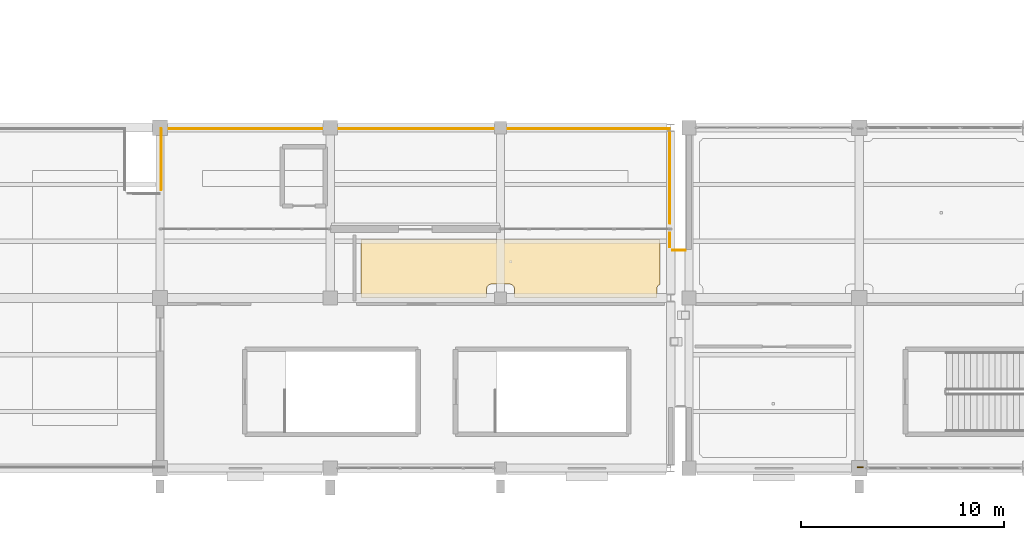
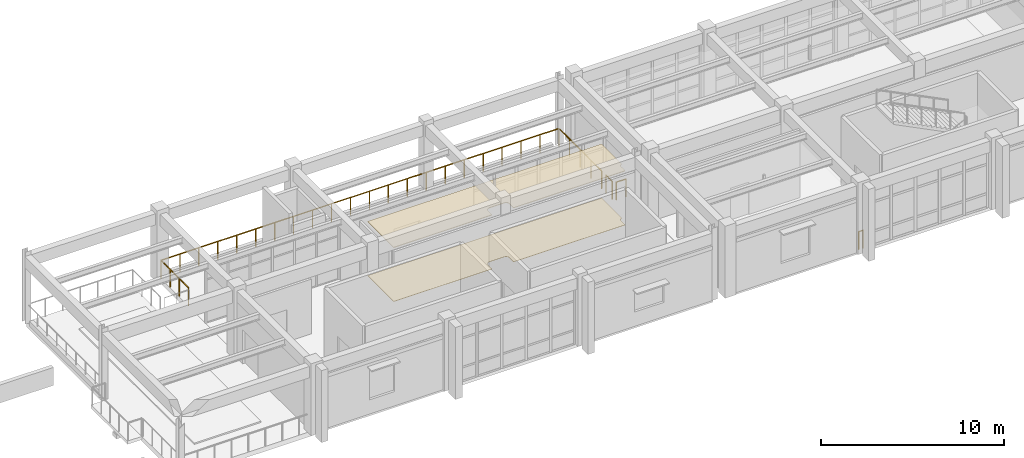
# One storey, part 86 of 98: 6 railings, 2 coverings.
"""IFC4 building model written with IfcOpenShell, lengths in metres."""

from ifc_helpers import new_model, si_unit, direction, frame, origin, origin_2d, place, context, subcontext, project, spatial, polyline, circle, outline, extrude, material, layer, layer_set, type_object, element, save


model = new_model("IFC4")

# Units and contexts
model_context = context("Model", 3, precision=1e-05, world=origin(), true_north=direction((0.0, 1.0)))
body_context = subcontext(model_context, "Body", "Model", "MODEL_VIEW")
ifc_project = project(units=[si_unit("LENGTHUNIT", "METRE"), si_unit("AREAUNIT", "SQUARE_METRE"), si_unit("VOLUMEUNIT", "CUBIC_METRE"), si_unit("PLANEANGLEUNIT", "RADIAN"), si_unit("MASSUNIT", "GRAM", prefix="KILO")], contexts=[model_context])

# Site, building, storey
site_placement = place(None, origin())
site = spatial("IfcSite", under=ifc_project, at=site_placement, CompositionType="ELEMENT")
building_placement = place(site_placement, origin())
building = spatial("IfcBuilding", under=site, at=building_placement, Name="Canglan Escarpment Cableway Terminal", CompositionType="ELEMENT")
storey_placement = place(building_placement, frame((0.0, 0.0, 9.60009765625)))
storey = spatial("IfcBuildingStorey", under=building, at=storey_placement, Name="L02", CompositionType="ELEMENT", Elevation=9.60009765625)

# Coverings
ifc_material_1 = material(Name="Micro-perforated acoustic aluminium ceiling", Category="aluminium")
ifc_layer_1 = layer(ifc_material_1, 0.0400390625, Name="Micro-perforated acoustic aluminium ceiling")
ifc_layer_set_1 = layer_set([ifc_layer_1], Name="Micro-perforated acoustic aluminium ceiling")
covering_type_1 = type_object("IfcCoveringType", Name="COV-CEIL-ACOUSTIC-40", PredefinedType="CEILING", material=ifc_layer_set_1)
covering_1_placement = place(storey_placement, frame((0.0, 0.0, 3.58984375)))
element("IfcCovering", 1, at=covering_1_placement, inside=storey, type_object=covering_type_1, Name="Passenger Waiting Lounge suspended acoustic ceiling", PredefinedType="CEILING", context=body_context, shape_type="SweptSolid", body=[
    extrude(outline(polyline([(60.820068359375, 19.260009765625), (60.820068359375, 19.261962890625), (60.8203125, 19.263916015625), (60.82080078125, 19.265869140625), (60.821533203125, 19.267578125), (60.822509765625, 19.269287109375), (60.823486328125, 19.27099609375), (60.824462890625, 19.272705078125), (60.825927734375, 19.274169921875), (60.827392578125, 19.275390625), (60.828857421875, 19.276611328125), (60.83056640625, 19.277587890625), (60.832275390625, 19.278564453125), (60.834228515625, 19.279052734375), (60.836181640625, 19.279541015625), (60.837890625, 19.27978515625), (60.840087890625, 19.280029296875), (75.56005859375, 19.280029296875), (75.56201171875, 19.27978515625), (75.56396484375, 19.279541015625), (75.56591796875, 19.279052734375), (75.567626953125, 19.278564453125), (75.5693359375, 19.277587890625), (75.571044921875, 19.276611328125), (75.57275390625, 19.275390625), (75.57421875, 19.274169921875), (75.575439453125, 19.272705078125), (75.57666015625, 19.27099609375), (75.57763671875, 19.269287109375), (75.57861328125, 19.267578125), (75.5791015625, 19.265869140625), (75.57958984375, 19.263916015625), (75.579833984375, 19.261962890625), (75.580078125, 19.260009765625), (75.580078125, 17.0859375), (75.579833984375, 17.083984375), (75.57958984375, 17.082275390625), (75.5791015625, 17.080322265625), (75.57861328125, 17.07861328125), (75.577880859375, 17.076904296875), (75.576904296875, 17.0751953125), (75.57568359375, 17.07373046875), (75.57470703125, 17.072265625), (75.5732421875, 17.071044921875), (75.57177734375, 17.06982421875), (75.5703125, 17.06884765625), (75.568603515625, 17.06787109375), (75.566650390625, 17.067138671875), (75.556396484375, 17.0634765625), (75.555419921875, 17.06298828125), (75.53662109375, 17.05419921875), (75.535888671875, 17.0537109375), (75.518310546875, 17.043212890625), (75.517333984375, 17.04248046875), (75.500732421875, 17.030517578125), (75.5, 17.02978515625), (75.48486328125, 17.015869140625), (75.484130859375, 17.01513671875), (75.47021484375, 17.0), (75.469482421875, 16.999267578125), (75.45751953125, 16.982666015625), (75.456787109375, 16.981689453125), (75.4462890625, 16.964111328125), (75.44580078125, 16.96337890625), (75.43701171875, 16.944580078125), (75.4365234375, 16.943603515625), (75.4296875, 16.92431640625), (75.429443359375, 16.92333984375), (75.42431640625, 16.9033203125), (75.42431640625, 16.90234375), (75.421142578125, 16.882080078125), (75.4208984375, 16.881103515625), (75.419921875, 16.860107421875), (75.419921875, 16.85986328125), (75.419921875, 16.43994140625), (75.419921875, 16.43798828125), (75.419677734375, 16.43603515625), (75.419189453125, 16.43408203125), (75.41845703125, 16.432373046875), (75.41748046875, 16.4306640625), (75.41650390625, 16.428955078125), (75.41552734375, 16.42724609375), (75.4140625, 16.42578125), (75.41259765625, 16.424560546875), (75.4111328125, 16.42333984375), (75.409423828125, 16.42236328125), (75.40771484375, 16.42138671875), (75.40576171875, 16.4208984375), (75.40380859375, 16.42041015625), (75.402099609375, 16.420166015625), (75.39990234375, 16.419921875), (68.39990234375, 16.419921875), (68.39794921875, 16.420166015625), (68.39599609375, 16.42041015625), (68.394287109375, 16.4208984375), (68.392333984375, 16.42138671875), (68.390625, 16.42236328125), (68.388916015625, 16.42333984375), (68.38720703125, 16.424560546875), (68.385986328125, 16.42578125), (68.384521484375, 16.42724609375), (68.38330078125, 16.428955078125), (68.38232421875, 16.4306640625), (68.381591796875, 16.432373046875), (68.380859375, 16.43408203125), (68.38037109375, 16.43603515625), (68.380126953125, 16.43798828125), (68.3798828125, 16.43994140625), (68.3798828125, 16.85986328125), (68.3798828125, 16.860107421875), (68.37890625, 16.881103515625), (68.37890625, 16.882080078125), (68.375732421875, 16.90234375), (68.375732421875, 16.9033203125), (68.37060546875, 16.92333984375), (68.370361328125, 16.92431640625), (68.36328125, 16.943603515625), (68.363037109375, 16.944580078125), (68.354248046875, 16.96337890625), (68.353759765625, 16.964111328125), (68.34326171875, 16.981689453125), (68.342529296875, 16.982666015625), (68.330322265625, 16.999267578125), (68.32958984375, 17.0), (68.31591796875, 17.01513671875), (68.315185546875, 17.015869140625), (68.2998046875, 17.02978515625), (68.29931640625, 17.030517578125), (68.28271484375, 17.04248046875), (68.28173828125, 17.043212890625), (68.26416015625, 17.0537109375), (68.26318359375, 17.05419921875), (68.24462890625, 17.06298828125), (68.24365234375, 17.0634765625), (68.224365234375, 17.0703125), (68.223388671875, 17.070556640625), (68.203369140625, 17.07568359375), (68.202392578125, 17.07568359375), (68.181884765625, 17.078857421875), (68.18115234375, 17.0791015625), (68.16015625, 17.080078125), (68.159912109375, 17.080078125), (67.240234375, 17.080078125), (67.23974609375, 17.080078125), (67.218994140625, 17.0791015625), (67.218017578125, 17.078857421875), (67.197509765625, 17.07568359375), (67.196533203125, 17.07568359375), (67.176513671875, 17.070556640625), (67.17578125, 17.0703125), (67.15625, 17.0634765625), (67.155517578125, 17.06298828125), (67.13671875, 17.05419921875), (67.135986328125, 17.0537109375), (67.1181640625, 17.043212890625), (67.117431640625, 17.04248046875), (67.100830078125, 17.030517578125), (67.10009765625, 17.02978515625), (67.084716796875, 17.015869140625), (67.083984375, 17.01513671875), (67.0703125, 17.0), (67.069580078125, 16.999267578125), (67.057373046875, 16.982666015625), (67.056884765625, 16.981689453125), (67.046142578125, 16.964111328125), (67.0458984375, 16.96337890625), (67.037109375, 16.944580078125), (67.03662109375, 16.943603515625), (67.029541015625, 16.92431640625), (67.029296875, 16.92333984375), (67.0244140625, 16.9033203125), (67.024169921875, 16.90234375), (67.02099609375, 16.882080078125), (67.02099609375, 16.881103515625), (67.02001953125, 16.860107421875), (67.02001953125, 16.85986328125), (67.02001953125, 16.43994140625), (67.02001953125, 16.43798828125), (67.01953125, 16.43603515625), (67.01904296875, 16.43408203125), (67.0185546875, 16.432373046875), (67.017578125, 16.4306640625), (67.0166015625, 16.428955078125), (67.015380859375, 16.42724609375), (67.01416015625, 16.42578125), (67.0126953125, 16.424560546875), (67.010986328125, 16.42333984375), (67.009521484375, 16.42236328125), (67.0078125, 16.42138671875), (67.005859375, 16.4208984375), (67.00390625, 16.42041015625), (67.001953125, 16.420166015625), (67.0, 16.419921875), (60.840087890625, 16.419921875), (60.837890625, 16.420166015625), (60.836181640625, 16.42041015625), (60.834228515625, 16.4208984375), (60.832275390625, 16.42138671875), (60.83056640625, 16.42236328125), (60.828857421875, 16.42333984375), (60.827392578125, 16.424560546875), (60.825927734375, 16.42578125), (60.824462890625, 16.42724609375), (60.823486328125, 16.428955078125), (60.822509765625, 16.4306640625), (60.821533203125, 16.432373046875), (60.82080078125, 16.43408203125), (60.8203125, 16.43603515625), (60.820068359375, 16.43798828125), (60.820068359375, 16.43994140625), (60.820068359375, 19.260009765625)])), origin(), (0.0, 0.0, 1.0), 0.0400390625),
])
ifc_material_2 = material(Name="Honed Sichuan grey granite flooring", Category="masonry")
ifc_layer_2 = layer(ifc_material_2, 0.02001953125, Name="Honed Sichuan grey granite flooring")
ifc_layer_set_2 = layer_set([ifc_layer_2], Name="Honed Sichuan grey granite flooring")
covering_type_2 = type_object("IfcCoveringType", Name="COV-FLR-GRANITE-20", PredefinedType="FLOORING", material=ifc_layer_set_2)
covering_2_placement = place(storey_placement, origin())
element("IfcCovering", 2, at=covering_2_placement, inside=storey, type_object=covering_type_2, Name="Passenger Waiting Lounge stone floor finish", PredefinedType="FLOORING", context=body_context, shape_type="SweptSolid", body=[
    extrude(outline(polyline([(60.820068359375, 19.260009765625), (60.820068359375, 19.261962890625), (60.8203125, 19.263916015625), (60.82080078125, 19.265869140625), (60.821533203125, 19.267578125), (60.822509765625, 19.269287109375), (60.823486328125, 19.27099609375), (60.824462890625, 19.272705078125), (60.825927734375, 19.274169921875), (60.827392578125, 19.275390625), (60.828857421875, 19.276611328125), (60.83056640625, 19.277587890625), (60.832275390625, 19.278564453125), (60.834228515625, 19.279052734375), (60.836181640625, 19.279541015625), (60.837890625, 19.27978515625), (60.840087890625, 19.280029296875), (75.56005859375, 19.280029296875), (75.56201171875, 19.27978515625), (75.56396484375, 19.279541015625), (75.56591796875, 19.279052734375), (75.567626953125, 19.278564453125), (75.5693359375, 19.277587890625), (75.571044921875, 19.276611328125), (75.57275390625, 19.275390625), (75.57421875, 19.274169921875), (75.575439453125, 19.272705078125), (75.57666015625, 19.27099609375), (75.57763671875, 19.269287109375), (75.57861328125, 19.267578125), (75.5791015625, 19.265869140625), (75.57958984375, 19.263916015625), (75.579833984375, 19.261962890625), (75.580078125, 19.260009765625), (75.580078125, 17.0859375), (75.579833984375, 17.083984375), (75.57958984375, 17.082275390625), (75.5791015625, 17.080322265625), (75.57861328125, 17.07861328125), (75.577880859375, 17.076904296875), (75.576904296875, 17.0751953125), (75.57568359375, 17.07373046875), (75.57470703125, 17.072265625), (75.5732421875, 17.071044921875), (75.57177734375, 17.06982421875), (75.5703125, 17.06884765625), (75.568603515625, 17.06787109375), (75.566650390625, 17.067138671875), (75.556396484375, 17.0634765625), (75.555419921875, 17.06298828125), (75.53662109375, 17.05419921875), (75.535888671875, 17.0537109375), (75.518310546875, 17.043212890625), (75.517333984375, 17.04248046875), (75.500732421875, 17.030517578125), (75.5, 17.02978515625), (75.48486328125, 17.015869140625), (75.484130859375, 17.01513671875), (75.47021484375, 17.0), (75.469482421875, 16.999267578125), (75.45751953125, 16.982666015625), (75.456787109375, 16.981689453125), (75.4462890625, 16.964111328125), (75.44580078125, 16.96337890625), (75.43701171875, 16.944580078125), (75.4365234375, 16.943603515625), (75.4296875, 16.92431640625), (75.429443359375, 16.92333984375), (75.42431640625, 16.9033203125), (75.42431640625, 16.90234375), (75.421142578125, 16.882080078125), (75.4208984375, 16.881103515625), (75.419921875, 16.860107421875), (75.419921875, 16.85986328125), (75.419921875, 16.43994140625), (75.419921875, 16.43798828125), (75.419677734375, 16.43603515625), (75.419189453125, 16.43408203125), (75.41845703125, 16.432373046875), (75.41748046875, 16.4306640625), (75.41650390625, 16.428955078125), (75.41552734375, 16.42724609375), (75.4140625, 16.42578125), (75.41259765625, 16.424560546875), (75.4111328125, 16.42333984375), (75.409423828125, 16.42236328125), (75.40771484375, 16.42138671875), (75.40576171875, 16.4208984375), (75.40380859375, 16.42041015625), (75.402099609375, 16.420166015625), (75.39990234375, 16.419921875), (68.39990234375, 16.419921875), (68.39794921875, 16.420166015625), (68.39599609375, 16.42041015625), (68.394287109375, 16.4208984375), (68.392333984375, 16.42138671875), (68.390625, 16.42236328125), (68.388916015625, 16.42333984375), (68.38720703125, 16.424560546875), (68.385986328125, 16.42578125), (68.384521484375, 16.42724609375), (68.38330078125, 16.428955078125), (68.38232421875, 16.4306640625), (68.381591796875, 16.432373046875), (68.380859375, 16.43408203125), (68.38037109375, 16.43603515625), (68.380126953125, 16.43798828125), (68.3798828125, 16.43994140625), (68.3798828125, 16.85986328125), (68.3798828125, 16.860107421875), (68.37890625, 16.881103515625), (68.37890625, 16.882080078125), (68.375732421875, 16.90234375), (68.375732421875, 16.9033203125), (68.37060546875, 16.92333984375), (68.370361328125, 16.92431640625), (68.36328125, 16.943603515625), (68.363037109375, 16.944580078125), (68.354248046875, 16.96337890625), (68.353759765625, 16.964111328125), (68.34326171875, 16.981689453125), (68.342529296875, 16.982666015625), (68.330322265625, 16.999267578125), (68.32958984375, 17.0), (68.31591796875, 17.01513671875), (68.315185546875, 17.015869140625), (68.2998046875, 17.02978515625), (68.29931640625, 17.030517578125), (68.28271484375, 17.04248046875), (68.28173828125, 17.043212890625), (68.26416015625, 17.0537109375), (68.26318359375, 17.05419921875), (68.24462890625, 17.06298828125), (68.24365234375, 17.0634765625), (68.224365234375, 17.0703125), (68.223388671875, 17.070556640625), (68.203369140625, 17.07568359375), (68.202392578125, 17.07568359375), (68.181884765625, 17.078857421875), (68.18115234375, 17.0791015625), (68.16015625, 17.080078125), (68.159912109375, 17.080078125), (67.240234375, 17.080078125), (67.23974609375, 17.080078125), (67.218994140625, 17.0791015625), (67.218017578125, 17.078857421875), (67.197509765625, 17.07568359375), (67.196533203125, 17.07568359375), (67.176513671875, 17.070556640625), (67.17578125, 17.0703125), (67.15625, 17.0634765625), (67.155517578125, 17.06298828125), (67.13671875, 17.05419921875), (67.135986328125, 17.0537109375), (67.1181640625, 17.043212890625), (67.117431640625, 17.04248046875), (67.100830078125, 17.030517578125), (67.10009765625, 17.02978515625), (67.084716796875, 17.015869140625), (67.083984375, 17.01513671875), (67.0703125, 17.0), (67.069580078125, 16.999267578125), (67.057373046875, 16.982666015625), (67.056884765625, 16.981689453125), (67.046142578125, 16.964111328125), (67.0458984375, 16.96337890625), (67.037109375, 16.944580078125), (67.03662109375, 16.943603515625), (67.029541015625, 16.92431640625), (67.029296875, 16.92333984375), (67.0244140625, 16.9033203125), (67.024169921875, 16.90234375), (67.02099609375, 16.882080078125), (67.02099609375, 16.881103515625), (67.02001953125, 16.860107421875), (67.02001953125, 16.85986328125), (67.02001953125, 16.43994140625), (67.02001953125, 16.43798828125), (67.01953125, 16.43603515625), (67.01904296875, 16.43408203125), (67.0185546875, 16.432373046875), (67.017578125, 16.4306640625), (67.0166015625, 16.428955078125), (67.015380859375, 16.42724609375), (67.01416015625, 16.42578125), (67.0126953125, 16.424560546875), (67.010986328125, 16.42333984375), (67.009521484375, 16.42236328125), (67.0078125, 16.42138671875), (67.005859375, 16.4208984375), (67.00390625, 16.42041015625), (67.001953125, 16.420166015625), (67.0, 16.419921875), (60.840087890625, 16.419921875), (60.837890625, 16.420166015625), (60.836181640625, 16.42041015625), (60.834228515625, 16.4208984375), (60.832275390625, 16.42138671875), (60.83056640625, 16.42236328125), (60.828857421875, 16.42333984375), (60.827392578125, 16.424560546875), (60.825927734375, 16.42578125), (60.824462890625, 16.42724609375), (60.823486328125, 16.428955078125), (60.822509765625, 16.4306640625), (60.821533203125, 16.432373046875), (60.82080078125, 16.43408203125), (60.8203125, 16.43603515625), (60.820068359375, 16.43798828125), (60.820068359375, 16.43994140625), (60.820068359375, 19.260009765625)])), origin(), (0.0, 0.0, 1.0), 0.02001953125),
])

# Railings
ifc_material_3 = material(Name="Carved limestone and anodized bronze balustrade", Category="masonry")
railing_type = type_object("IfcRailingType", Name="RL-EXT-BALUSTRADE-1200", PredefinedType="BALUSTRADE", material=ifc_material_3)
railing_1_placement = place(storey_placement, frame((50.949951171875, 21.72998046875, 0.0)))
element("IfcRailing", 3, at=railing_1_placement, inside=storey, type_object=railing_type, Name="Classical terrace balustrade guard GD-01 (L02)", PredefinedType="BALUSTRADE", context=body_context, shape_type="SweptSolid", body=[
    extrude(circle(Radius=0.02392578125, at=origin_2d()), frame((0.0, 0.0, 1.17578125), z_axis=(0.0, 1.0, 0.0), x_axis=(-1.0, 0.0, 0.0)), (0.0, 0.0, 1.0), 3.01806640625),
    extrude(circle(Radius=0.02099609375, at=origin_2d()), origin(), (0.0, 0.0, 1.0), 1.15185546875),
    extrude(circle(Radius=0.02099609375, at=origin_2d()), frame((0.0, 1.006103515625, 0.0)), (0.0, 0.0, 1.0), 1.15185546875),
    extrude(circle(Radius=0.02099609375, at=origin_2d()), frame((0.0, 2.011962890625, 0.0)), (0.0, 0.0, 1.0), 1.15185546875),
    extrude(circle(Radius=0.02099609375, at=origin_2d()), frame((0.0, 3.01806640625, 0.0)), (0.0, 0.0, 1.0), 1.15185546875),
])
railing_2_placement = place(storey_placement, frame((50.949951171875, 24.748046875, 0.0)))
element("IfcRailing", 4, at=railing_2_placement, inside=storey, type_object=railing_type, Name="Classical terrace balustrade guard GD-01 (L02)", PredefinedType="BALUSTRADE", context=body_context, shape_type="SweptSolid", body=[
    extrude(circle(Radius=0.02392578125, at=origin_2d()), frame((0.0, 0.0, 1.17578125), z_axis=(0.999999996972, 7.7819497e-05, 0.0), x_axis=(-7.7819497e-05, 0.999999996972, 0.0)), (0.0, 0.0, 1.0), 25.09814453125),
    extrude(circle(Radius=0.02099609375, at=origin_2d()), origin(), (0.0, 0.0, 1.0), 1.15185546875),
    extrude(circle(Radius=0.02099609375, at=origin_2d()), frame((1.195068359375, 0.0, 0.0)), (0.0, 0.0, 1.0), 1.15185546875),
    extrude(circle(Radius=0.02099609375, at=origin_2d()), frame((2.390380859375, 0.000244140625, 0.0)), (0.0, 0.0, 1.0), 1.15185546875),
    extrude(circle(Radius=0.02099609375, at=origin_2d()), frame((3.58544921875, 0.000244140625, 0.0)), (0.0, 0.0, 1.0), 1.15185546875),
    extrude(circle(Radius=0.02099609375, at=origin_2d()), frame((4.780517578125, 0.00048828125, 0.0)), (0.0, 0.0, 1.0), 1.15185546875),
    extrude(circle(Radius=0.02099609375, at=origin_2d()), frame((5.975830078125, 0.00048828125, 0.0)), (0.0, 0.0, 1.0), 1.15185546875),
    extrude(circle(Radius=0.02099609375, at=origin_2d()), frame((7.1708984375, 0.00048828125, 0.0)), (0.0, 0.0, 1.0), 1.15185546875),
    extrude(circle(Radius=0.02099609375, at=origin_2d()), frame((8.365966796875, 0.000732421875, 0.0)), (0.0, 0.0, 1.0), 1.15185546875),
    extrude(circle(Radius=0.02099609375, at=origin_2d()), frame((9.561279296875, 0.000732421875, 0.0)), (0.0, 0.0, 1.0), 1.15185546875),
    extrude(circle(Radius=0.02099609375, at=origin_2d()), frame((10.75634765625, 0.000732421875, 0.0)), (0.0, 0.0, 1.0), 1.15185546875),
    extrude(circle(Radius=0.02099609375, at=origin_2d()), frame((11.951416015625, 0.0009765625, 0.0)), (0.0, 0.0, 1.0), 1.15185546875),
    extrude(circle(Radius=0.02099609375, at=origin_2d()), frame((13.146728515625, 0.0009765625, 0.0)), (0.0, 0.0, 1.0), 1.15185546875),
    extrude(circle(Radius=0.02099609375, at=origin_2d()), frame((14.341796875, 0.001220703125, 0.0)), (0.0, 0.0, 1.0), 1.15185546875),
    extrude(circle(Radius=0.02099609375, at=origin_2d()), frame((15.536865234375, 0.001220703125, 0.0)), (0.0, 0.0, 1.0), 1.15185546875),
    extrude(circle(Radius=0.02099609375, at=origin_2d()), frame((16.732177734375, 0.001220703125, 0.0)), (0.0, 0.0, 1.0), 1.15185546875),
    extrude(circle(Radius=0.02099609375, at=origin_2d()), frame((17.92724609375, 0.00146484375, 0.0)), (0.0, 0.0, 1.0), 1.15185546875),
    extrude(circle(Radius=0.02099609375, at=origin_2d()), frame((19.122314453125, 0.00146484375, 0.0)), (0.0, 0.0, 1.0), 1.15185546875),
    extrude(circle(Radius=0.02099609375, at=origin_2d()), frame((20.317626953125, 0.00146484375, 0.0)), (0.0, 0.0, 1.0), 1.15185546875),
    extrude(circle(Radius=0.02099609375, at=origin_2d()), frame((21.5126953125, 0.001708984375, 0.0)), (0.0, 0.0, 1.0), 1.15185546875),
    extrude(circle(Radius=0.02099609375, at=origin_2d()), frame((22.707763671875, 0.001708984375, 0.0)), (0.0, 0.0, 1.0), 1.15185546875),
    extrude(circle(Radius=0.02099609375, at=origin_2d()), frame((23.903076171875, 0.001953125, 0.0)), (0.0, 0.0, 1.0), 1.15185546875),
    extrude(circle(Radius=0.02099609375, at=origin_2d()), frame((25.09814453125, 0.001953125, 0.0)), (0.0, 0.0, 1.0), 1.15185546875),
])
railing_3_placement = place(storey_placement, frame((76.048095703125, 24.75, 0.0)))
element("IfcRailing", 5, at=railing_3_placement, inside=storey, type_object=railing_type, Name="Classical terrace balustrade guard GD-01 (L02)", PredefinedType="BALUSTRADE", context=body_context, shape_type="SweptSolid", body=[
    extrude(circle(Radius=0.02392578125, at=origin_2d()), frame((0.0, 0.0, 1.17578125), z_axis=(0.000419133405, -0.999999912164, 0.0), x_axis=(0.999999912164, 0.000419133405, 0.0)), (0.0, 0.0, 1.0), 4.659912109375),
    extrude(circle(Radius=0.02099609375, at=origin_2d()), origin(), (0.0, 0.0, 1.0), 1.15185546875),
    extrude(circle(Radius=0.02099609375, at=origin_2d()), frame((0.00048828125, -1.1650390625, 0.0)), (0.0, 0.0, 1.0), 1.15185546875),
    extrude(circle(Radius=0.02099609375, at=origin_2d()), frame((0.0009765625, -2.330078125, 0.0)), (0.0, 0.0, 1.0), 1.15185546875),
    extrude(circle(Radius=0.02099609375, at=origin_2d()), frame((0.00146484375, -3.494873046875, 0.0)), (0.0, 0.0, 1.0), 1.15185546875),
    extrude(circle(Radius=0.02099609375, at=origin_2d()), frame((0.001953125, -4.659912109375, 0.0)), (0.0, 0.0, 1.0), 1.15185546875),
])
railing_4_placement = place(storey_placement, frame((76.050048828125, 19.610107421875, 0.0)))
element("IfcRailing", 6, at=railing_4_placement, inside=storey, type_object=railing_type, Name="Classical terrace balustrade guard GD-01 (L02)", PredefinedType="BALUSTRADE", context=body_context, shape_type="SweptSolid", body=[
    extrude(circle(Radius=0.02392578125, at=origin_2d()), frame((0.0, 0.0, 1.17578125), z_axis=(0.0, -1.0, 0.0), x_axis=(1.0, 0.0, 0.0)), (0.0, 0.0, 1.0), 0.68017578125),
    extrude(circle(Radius=0.02099609375, at=origin_2d()), origin(), (0.0, 0.0, 1.0), 1.15185546875),
    extrude(circle(Radius=0.02099609375, at=origin_2d()), frame((0.0, -0.68017578125, 0.0)), (0.0, 0.0, 1.0), 1.15185546875),
])
railing_5_placement = place(storey_placement, frame((76.199462890625, 18.756103515625, 0.0)))
element("IfcRailing", 7, at=railing_5_placement, inside=storey, type_object=railing_type, Name="Classical terrace balustrade guard GD-01 (L02)", PredefinedType="BALUSTRADE", context=body_context, shape_type="SweptSolid", body=[
    extrude(circle(Radius=0.02392578125, at=origin_2d()), frame((0.0, 0.0, 1.17578125), z_axis=(0.99995004372, -0.009995502236, 0.0), x_axis=(0.009995502236, 0.99995004372, 0.0)), (0.0, 0.0, 1.0), 0.610595703125),
    extrude(circle(Radius=0.02099609375, at=origin_2d()), origin(), (0.0, 0.0, 1.0), 1.15185546875),
    extrude(circle(Radius=0.02099609375, at=origin_2d()), frame((0.610595703125, -0.006103515625, 0.0)), (0.0, 0.0, 1.0), 1.15185546875),
])
railing_6_placement = place(storey_placement, frame((85.5849609375, 8.050048828125, 0.0)))
element("IfcRailing", 8, at=railing_6_placement, inside=storey, type_object=railing_type, Name="Classical terrace balustrade guard GD-01 (L02)", PredefinedType="BALUSTRADE", context=body_context, shape_type="SweptSolid", body=[
    extrude(circle(Radius=0.02392578125, at=origin_2d()), frame((0.0, 0.0, 1.17578125), z_axis=(-1.0, 0.0, 0.0), x_axis=(0.0, -1.0, 0.0)), (0.0, 0.0, 1.0), 0.27001953125),
    extrude(circle(Radius=0.02099609375, at=origin_2d()), origin(), (0.0, 0.0, 1.0), 1.15185546875),
    extrude(circle(Radius=0.02099609375, at=origin_2d()), frame((-0.27001953125, 0.0, 0.0)), (0.0, 0.0, 1.0), 1.15185546875),
])

save(model, "model.ifc")
